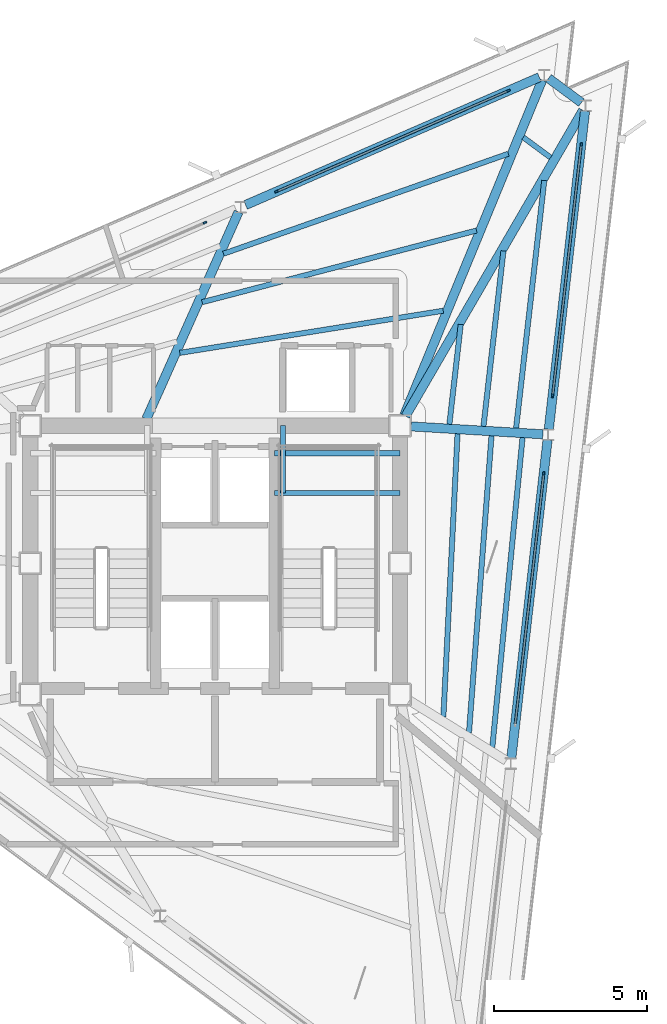
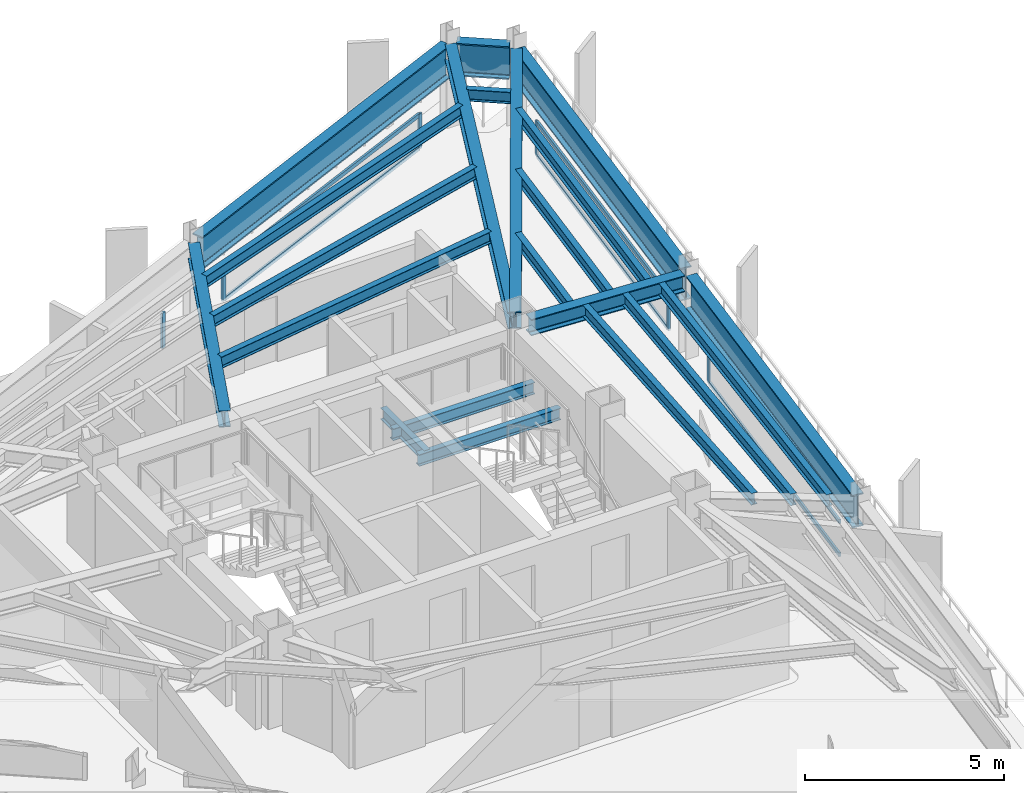
# One storey, part 4 of 9: 21 beams, 12 members, 4 elements without a shape of their own.
"""IFC4 building model written with IfcOpenShell, lengths in metres."""

from ifc_helpers import new_model, si_unit, direction, frame, origin, origin_2d, place, context, subcontext, project, spatial, rectangle, i_section, extrude, material, layer, layer_set, material_profile, profile_set, type_object, element, aggregate, save


model = new_model("IFC4")

# Units and contexts
model_context = context("Model", 3, precision=1e-05, world=origin(), true_north=direction((0.0, 1.0)))
body_context = subcontext(model_context, "Body", "Model", "MODEL_VIEW")
ifc_project = project(units=[si_unit("LENGTHUNIT", "METRE"), si_unit("AREAUNIT", "SQUARE_METRE"), si_unit("VOLUMEUNIT", "CUBIC_METRE"), si_unit("PLANEANGLEUNIT", "RADIAN"), si_unit("MASSUNIT", "GRAM", prefix="KILO")], contexts=[model_context])

# Site, building, storey
site_placement = place(None, origin())
site = spatial("IfcSite", under=ifc_project, at=site_placement, CompositionType="ELEMENT")
building_placement = place(site_placement, origin())
building = spatial("IfcBuilding", under=site, at=building_placement, Name="Rocaltana Carrier Exchange", CompositionType="ELEMENT")
storey_placement = place(building_placement, frame((0.0, 0.0, 236.159912109375)))
storey = spatial("IfcBuildingStorey", under=building, at=storey_placement, Name="L75", CompositionType="ELEMENT", Elevation=236.159912109375)

# Curtain wall, member
ifc_material_1 = material(Name="Aluminium 6063-T6", Category="aluminium")
ifc_layer = layer(ifc_material_1, 0.1201171875)
ifc_layer_set = layer_set([ifc_layer], Name="Aluminium 6063-T6")
curtain_wall_type = type_object("IfcCurtainWallType", Name="High-Altitude Thermal Curtain Wall CW-05", PredefinedType="NOTDEFINED", material=ifc_layer_set)
curtain_wall_1_placement = place(storey_placement, origin())
curtain_wall_1 = element("IfcCurtainWall", 1, at=curtain_wall_1_placement, inside=storey, type_object=curtain_wall_type, Name="L75 CW-05 Run CW-L75-F1S2", PredefinedType="NOTDEFINED")
ifc_material_2 = material(Name="Aluminium 6063-T6", Category="aluminium")
ifc_material_profile_1 = material_profile(ifc_material_2, rectangle(XDim=0.06005859375, YDim=0.1201171875, at=origin_2d()), Name="AL-60X120")
ifc_profile_set_1 = profile_set([ifc_material_profile_1], Name="Aluminium 6063-T6")
member_type_1 = type_object("IfcMemberType", Name="CW-05 Mullion AL-60X120", PredefinedType="MULLION", material=ifc_profile_set_1)
member_1_placement = place(storey_placement, frame((10.756591796875, 2.93798828125, 0.0), z_axis=(0.0, 0.0, 1.0), x_axis=(-0.993571216652, 0.113208822277, 0.0)))
member_1 = element("IfcMember", 2, at=member_1_placement, type_object=member_type_1, Name="CW-05 mullion 2", PredefinedType="MULLION", context=body_context, shape_type="SweptSolid", body=[
    extrude(rectangle(XDim=0.06005859375, YDim=0.1201171875, at=origin_2d()), origin(), (0.0, 0.0, 1.0), 1.078125),
])

# Curtain wall, members
curtain_wall_2_placement = place(storey_placement, origin())
curtain_wall_2 = element("IfcCurtainWall", 3, at=curtain_wall_2_placement, inside=storey, type_object=curtain_wall_type, Name="L75 CW-05 Run CW-L75-F1S3", PredefinedType="NOTDEFINED")
member_2_placement = place(storey_placement, frame((11.04638671875, 5.4814453125, 0.0), z_axis=(0.0, 0.0, 1.0), x_axis=(-0.993572566365, 0.113196975964, 0.0)))
member_2 = element("IfcMember", 4, at=member_2_placement, type_object=member_type_1, Name="CW-05 mullion 1", PredefinedType="MULLION", context=body_context, shape_type="SweptSolid", body=[
    extrude(rectangle(XDim=0.06005859375, YDim=0.1201171875, at=origin_2d()), origin(), (0.0, 0.0, 1.0), 1.078125),
])
member_3_placement = place(storey_placement, frame((11.98291015625, 13.70166015625, 0.0), z_axis=(0.0, 0.0, 1.0), x_axis=(-0.993572566365, 0.113196975964, 0.0)))
member_3 = element("IfcMember", 5, at=member_3_placement, type_object=member_type_1, Name="CW-05 mullion 2", PredefinedType="MULLION", context=body_context, shape_type="SweptSolid", body=[
    extrude(rectangle(XDim=0.06005859375, YDim=0.1201171875, at=origin_2d()), origin(), (0.0, 0.0, 1.0), 1.078125),
])

curtain_wall_3_placement = place(storey_placement, origin())
curtain_wall_3 = element("IfcCurtainWall", 6, at=curtain_wall_3_placement, inside=storey, type_object=curtain_wall_type, Name="L75 CW-05 Run CW-L75-F2S1", PredefinedType="NOTDEFINED")
member_4_placement = place(storey_placement, frame((9.599609375, 15.46533203125, 0.0), z_axis=(0.0, 0.0, 1.0), x_axis=(0.39875682637, -0.917056701313, 0.0)))
member_4 = element("IfcMember", 7, at=member_4_placement, type_object=member_type_1, Name="CW-05 mullion 1", PredefinedType="MULLION", context=body_context, shape_type="SweptSolid", body=[
    extrude(rectangle(XDim=0.06005859375, YDim=0.1201171875, at=origin_2d()), origin(), (0.0, 0.0, 1.0), 1.078125),
])
member_5_placement = place(storey_placement, frame((2.01220703125, 12.166259765625, 0.0), z_axis=(0.0, 0.0, 1.0), x_axis=(0.39875682637, -0.917056701313, 0.0)))
member_5 = element("IfcMember", 8, at=member_5_placement, type_object=member_type_1, Name="CW-05 mullion 2", PredefinedType="MULLION", context=body_context, shape_type="SweptSolid", body=[
    extrude(rectangle(XDim=0.06005859375, YDim=0.1201171875, at=origin_2d()), origin(), (0.0, 0.0, 1.0), 1.078125),
])

# Curtain wall, member
curtain_wall_4_placement = place(storey_placement, origin())
curtain_wall_4 = element("IfcCurtainWall", 9, at=curtain_wall_4_placement, inside=storey, type_object=curtain_wall_type, Name="L75 CW-05 Run CW-L75-F2S2", PredefinedType="NOTDEFINED")
member_6_placement = place(storey_placement, frame((-0.335205078125, 11.1455078125, 0.0), z_axis=(0.0, 0.0, 1.0), x_axis=(0.398752438254, -0.917058609352, 0.0)))
member_6 = element("IfcMember", 10, at=member_6_placement, type_object=member_type_1, Name="CW-05 mullion 1", PredefinedType="MULLION", context=body_context, shape_type="SweptSolid", body=[
    extrude(rectangle(XDim=0.06005859375, YDim=0.1201171875, at=origin_2d()), origin(), (0.0, 0.0, 1.0), 1.078125),
])
aggregate(curtain_wall_4, [member_6])

# Member
ifc_material_3 = material(Name="Aluminium 6063-T6", Category="aluminium")
ifc_material_profile_2 = material_profile(ifc_material_3, rectangle(XDim=0.06005859375, YDim=0.1201171875, at=origin_2d()), Name="AL-60X120")
ifc_profile_set_2 = profile_set([ifc_material_profile_2], Name="Aluminium 6063-T6")
member_type_2 = type_object("IfcMemberType", Name="CW-05 Transom AL-60X120", PredefinedType="USERDEFINED", material=ifc_profile_set_2)
member_7_placement = place(storey_placement, frame((9.8232421875, -5.25244140625, 0.030029296875), z_axis=(0.113220478228, 0.993569888488, 0.0), x_axis=(-0.993569888488, 0.113220478228, 0.0)))
member_7 = element("IfcMember", 11, at=member_7_placement, type_object=member_type_2, Name="CW-05 transom 1.1", ObjectType="TRANSOM", PredefinedType="USERDEFINED", context=body_context, shape_type="SweptSolid", body=[
    extrude(rectangle(XDim=0.06005859375, YDim=0.1201171875, at=origin_2d()), origin(), (0.0, 0.0, 1.0), 8.21337890625),
])

member_8_placement = place(storey_placement, frame((9.8232421875, -5.25244140625, 1.048095703125), z_axis=(0.113220478228, 0.993569888488, 0.0), x_axis=(-0.993569888488, 0.113220478228, 0.0)))
member_8 = element("IfcMember", 12, at=member_8_placement, type_object=member_type_2, Name="CW-05 transom 1.2", ObjectType="TRANSOM", PredefinedType="USERDEFINED", context=body_context, shape_type="SweptSolid", body=[
    extrude(rectangle(XDim=0.06005859375, YDim=0.1201171875, at=origin_2d()), origin(), (0.0, 0.0, 1.0), 8.21337890625),
])

aggregate(curtain_wall_1, [member_1, member_7, member_8])

member_9_placement = place(storey_placement, frame((11.0498046875, 5.51123046875, 0.030029296875), z_axis=(0.113191134651, 0.993573231844, 0.0), x_axis=(-0.993573231844, 0.113191134651, 0.0)))
member_9 = element("IfcMember", 13, at=member_9_placement, type_object=member_type_2, Name="CW-05 transom 1.1", ObjectType="TRANSOM", PredefinedType="USERDEFINED", context=body_context, shape_type="SweptSolid", body=[
    extrude(rectangle(XDim=0.06005859375, YDim=0.1201171875, at=origin_2d()), origin(), (0.0, 0.0, 1.0), 8.21337890625),
])

member_10_placement = place(storey_placement, frame((11.0498046875, 5.51123046875, 1.048095703125), z_axis=(0.113191134651, 0.993573231844, 0.0), x_axis=(-0.993573231844, 0.113191134651, 0.0)))
member_10 = element("IfcMember", 14, at=member_10_placement, type_object=member_type_2, Name="CW-05 transom 1.2", ObjectType="TRANSOM", PredefinedType="USERDEFINED", context=body_context, shape_type="SweptSolid", body=[
    extrude(rectangle(XDim=0.06005859375, YDim=0.1201171875, at=origin_2d()), origin(), (0.0, 0.0, 1.0), 8.21337890625),
])

aggregate(curtain_wall_2, [member_2, member_3, member_9, member_10])

member_11_placement = place(storey_placement, frame((9.572021484375, 15.453369140625, 0.030029296875), z_axis=(-0.917058241688, -0.398753283814, 0.0), x_axis=(0.398753283814, -0.917058241688, 0.0)))
member_11 = element("IfcMember", 15, at=member_11_placement, type_object=member_type_2, Name="CW-05 transom 1.1", ObjectType="TRANSOM", PredefinedType="USERDEFINED", context=body_context, shape_type="SweptSolid", body=[
    extrude(rectangle(XDim=0.06005859375, YDim=0.1201171875, at=origin_2d()), origin(), (0.0, 0.0, 1.0), 8.21337890625),
])

member_12_placement = place(storey_placement, frame((9.572021484375, 15.453369140625, 1.048095703125), z_axis=(-0.917058241688, -0.398753283814, 0.0), x_axis=(0.398753283814, -0.917058241688, 0.0)))
member_12 = element("IfcMember", 16, at=member_12_placement, type_object=member_type_2, Name="CW-05 transom 1.2", ObjectType="TRANSOM", PredefinedType="USERDEFINED", context=body_context, shape_type="SweptSolid", body=[
    extrude(rectangle(XDim=0.06005859375, YDim=0.1201171875, at=origin_2d()), origin(), (0.0, 0.0, 1.0), 8.21337890625),
])

aggregate(curtain_wall_3, [member_4, member_5, member_11, member_12])

# Beams
ifc_material_4 = material(Name="Steel S355", Category="steel")
ifc_material_profile_3 = material_profile(ifc_material_4, i_section(OverallWidth=0.172119140625, OverallDepth=0.35791015625, WebThickness=0.0078125, FlangeThickness=0.01318359375, FilletRadius=0.011962890625, at=origin_2d()), Name="W14X38")
ifc_profile_set_3 = profile_set([ifc_material_profile_3], Name="Steel S355")
beam_type_1 = type_object("IfcBeamType", Name="Floor Joist W14X38", PredefinedType="JOIST", material=ifc_profile_set_3)
for number, where, z_axis, x_axis, name in (
    (17, (1.93994140625, 2.300048828125, 1.14111328125), (1.0, 0.0, 0.0), (0.0, 1.0, 0.0), "L75 ST-2 Landing Carrier 1"),
    (18, (1.93994140625, 3.60009765625, 1.14111328125), (1.0, 0.0, 0.0), (0.0, 1.0, 0.0), "L75 ST-2 Landing Carrier 2"),
):
    element("IfcBeam", number, at=place(storey_placement, frame(where, z_axis=z_axis, x_axis=x_axis)), inside=storey, type_object=beam_type_1, Name=name, PredefinedType="JOIST", context=body_context, shape_type="SweptSolid", body=[
        extrude(i_section(OverallWidth=0.172119140625, OverallDepth=0.35791015625, WebThickness=0.0078125, FlangeThickness=0.01318359375, FilletRadius=0.011962890625, at=origin_2d()), origin(), (0.0, 0.0, 1.0), 4.110107421875),
    ])
beam_1_placement = place(storey_placement, frame((2.219970703125, 2.300048828125, 1.14111328125), z_axis=(0.0, 1.0, 0.0), x_axis=(-1.0, 0.0, 0.0)))
element("IfcBeam", 19, at=beam_1_placement, inside=storey, type_object=beam_type_1, Name="L75 ST-2 Landing Cross Trimmer", PredefinedType="JOIST", context=body_context, shape_type="SweptSolid", body=[
    extrude(i_section(OverallWidth=0.172119140625, OverallDepth=0.35791015625, WebThickness=0.0078125, FlangeThickness=0.01318359375, FilletRadius=0.011962890625, at=origin_2d()), origin(), (0.0, 0.0, 1.0), 2.199951171875),
])
beam_2_placement = place(storey_placement, frame((7.470947265625, -5.03515625, 2.439208984375), z_axis=(0.049933684641, 0.998752535485, 0.0), x_axis=(-0.998752535485, 0.049933684641, 0.0)))
element("IfcBeam", 20, at=beam_2_placement, inside=storey, type_object=beam_type_1, Name="FJ-L75-02-1", PredefinedType="JOIST", context=body_context, shape_type="SweptSolid", body=[
    extrude(i_section(OverallWidth=0.172119140625, OverallDepth=0.35791015625, WebThickness=0.0078125, FlangeThickness=0.01318359375, FilletRadius=0.011962890625, at=origin_2d()), origin(), (0.0, 0.0, 1.0), 9.28955078125),
])
beam_3_placement = place(storey_placement, frame((8.308349609375, -5.553955078125, 2.439208984375), z_axis=(0.075705441131, 0.997130225288, 0.0), x_axis=(-0.997130225288, 0.075705441131, 0.0)))
element("IfcBeam", 21, at=beam_3_placement, inside=storey, type_object=beam_type_1, Name="FJ-L75-02-2", PredefinedType="JOIST", context=body_context, shape_type="SweptSolid", body=[
    extrude(i_section(OverallWidth=0.172119140625, OverallDepth=0.35791015625, WebThickness=0.0078125, FlangeThickness=0.01318359375, FilletRadius=0.011962890625, at=origin_2d()), origin(), (0.0, 0.0, 1.0), 9.758544921875),
])
beam_4_placement = place(storey_placement, frame((9.07275390625, -6.027587890625, 2.439208984375), z_axis=(0.097138741589, 0.995270850011, 0.0), x_axis=(-0.995270850011, 0.097138741589, 0.0)))
element("IfcBeam", 22, at=beam_4_placement, inside=storey, type_object=beam_type_1, Name="FJ-L75-02-3", PredefinedType="JOIST", context=body_context, shape_type="SweptSolid", body=[
    extrude(i_section(OverallWidth=0.172119140625, OverallDepth=0.35791015625, WebThickness=0.0078125, FlangeThickness=0.01318359375, FilletRadius=0.011962890625, at=origin_2d()), origin(), (0.0, 0.0, 1.0), 10.19140625),
])
beam_5_placement = place(storey_placement, frame((7.667236328125, 4.54736328125, 2.439208984375), z_axis=(0.113203016028, 0.993571878206, 0.0), x_axis=(-0.993571878206, 0.113203016028, 0.0)))
element("IfcBeam", 23, at=beam_5_placement, inside=storey, type_object=beam_type_1, Name="FJ-L75-03-1", PredefinedType="JOIST", context=body_context, shape_type="SweptSolid", body=[
    extrude(i_section(OverallWidth=0.172119140625, OverallDepth=0.35791015625, WebThickness=0.0078125, FlangeThickness=0.01318359375, FilletRadius=0.011962890625, at=origin_2d()), origin(), (0.0, 0.0, 1.0), 3.286865234375),
])
beam_6_placement = place(storey_placement, frame((8.783203125, 4.48046875, 2.439208984375), z_axis=(0.113185542157, 0.993573868943, 0.0), x_axis=(-0.993573868943, 0.113185542157, 0.0)))
element("IfcBeam", 24, at=beam_6_placement, inside=storey, type_object=beam_type_1, Name="FJ-L75-03-2", PredefinedType="JOIST", context=body_context, shape_type="SweptSolid", body=[
    extrude(i_section(OverallWidth=0.172119140625, OverallDepth=0.35791015625, WebThickness=0.0078125, FlangeThickness=0.01318359375, FilletRadius=0.011962890625, at=origin_2d()), origin(), (0.0, 0.0, 1.0), 5.778564453125),
])
beam_7_placement = place(storey_placement, frame((9.850341796875, 4.41650390625, 2.439208984375), z_axis=(0.113215051584, 0.993570506856, 0.0), x_axis=(-0.993570506856, 0.113215051584, 0.0)))
element("IfcBeam", 25, at=beam_7_placement, inside=storey, type_object=beam_type_1, Name="FJ-L75-03-3", PredefinedType="JOIST", context=body_context, shape_type="SweptSolid", body=[
    extrude(i_section(OverallWidth=0.172119140625, OverallDepth=0.35791015625, WebThickness=0.0078125, FlangeThickness=0.01318359375, FilletRadius=0.011962890625, at=origin_2d()), origin(), (0.0, 0.0, 1.0), 8.162109375),
])
beam_8_placement = place(storey_placement, frame((10.978759765625, 13.278564453125, 2.439208984375), z_axis=(-0.803783025316, 0.594922556484, 0.0), x_axis=(-0.594922556484, -0.803783025316, 0.0)))
element("IfcBeam", 26, at=beam_8_placement, inside=storey, type_object=beam_type_1, Name="FJ-L75-04-3", PredefinedType="JOIST", context=body_context, shape_type="SweptSolid", body=[
    extrude(i_section(OverallWidth=0.172119140625, OverallDepth=0.35791015625, WebThickness=0.0078125, FlangeThickness=0.01318359375, FilletRadius=0.011962890625, at=origin_2d()), origin(), (0.0, 0.0, 1.0), 1.1103515625),
])
beam_9_placement = place(storey_placement, frame((7.466552734375, 8.26416015625, 2.439208984375), z_axis=(-0.987434349957, -0.158029758352, 0.0), x_axis=(0.158029758352, -0.987434349957, 0.0)))
element("IfcBeam", 27, at=beam_9_placement, inside=storey, type_object=beam_type_1, Name="FJ-L75-05-1", PredefinedType="JOIST", context=body_context, shape_type="SweptSolid", body=[
    extrude(i_section(OverallWidth=0.172119140625, OverallDepth=0.35791015625, WebThickness=0.0078125, FlangeThickness=0.01318359375, FilletRadius=0.011962890625, at=origin_2d()), origin(), (0.0, 0.0, 1.0), 8.731689453125),
])
beam_10_placement = place(storey_placement, frame((8.5556640625, 10.889892578125, 2.439208984375), z_axis=(-0.967527830679, -0.252764508708, 0.0), x_axis=(0.252764508708, -0.967527830679, 0.0)))
element("IfcBeam", 28, at=beam_10_placement, inside=storey, type_object=beam_type_1, Name="FJ-L75-05-2", PredefinedType="JOIST", context=body_context, shape_type="SweptSolid", body=[
    extrude(i_section(OverallWidth=0.172119140625, OverallDepth=0.35791015625, WebThickness=0.0078125, FlangeThickness=0.01318359375, FilletRadius=0.011962890625, at=origin_2d()), origin(), (0.0, 0.0, 1.0), 9.2822265625),
])
beam_11_placement = place(storey_placement, frame((9.598388671875, 13.4033203125, 2.439208984375), z_axis=(-0.943534028817, -0.331275620087, 0.0), x_axis=(0.331275620087, -0.943534028817, 0.0)))
element("IfcBeam", 29, at=beam_11_placement, inside=storey, type_object=beam_type_1, Name="FJ-L75-05-3", PredefinedType="JOIST", context=body_context, shape_type="SweptSolid", body=[
    extrude(i_section(OverallWidth=0.172119140625, OverallDepth=0.35791015625, WebThickness=0.0078125, FlangeThickness=0.01318359375, FilletRadius=0.011962890625, at=origin_2d()), origin(), (0.0, 0.0, 1.0), 9.883544921875),
])
ifc_material_5 = material(Name="Steel S460", Category="steel")
ifc_material_profile_4 = material_profile(ifc_material_5, i_section(OverallWidth=0.302001953125, OverallDepth=1.008056640625, WebThickness=0.02099609375, FlangeThickness=0.0400390625, FilletRadius=0.030029296875, at=origin_2d()), Name="HEM1000")
ifc_profile_set_4 = profile_set([ifc_material_profile_4], Name="Steel S460")
beam_type_2 = type_object("IfcBeamType", Name="Transfer Ring Girder HEM1000", PredefinedType="USERDEFINED", material=ifc_profile_set_4)
for number, where, z_axis, x_axis, name in (
    (30, (9.694580078125, -6.381103515625, 2.114013671875), (0.113206425365, 0.993571489756, 0.0), (-0.993571489756, 0.113206425365, 0.0), "SP-L75-02"),
    (31, (10.921142578125, 4.382568359375, 2.114013671875), (0.113183439753, 0.993574108442, 0.0), (-0.993574108442, 0.113183439753, 0.0), "SP-L75-03"),
):
    element("IfcBeam", number, at=place(storey_placement, frame(where, z_axis=z_axis, x_axis=x_axis)), inside=storey, type_object=beam_type_2, Name=name, ObjectType="TRANSFER GIRDER", PredefinedType="USERDEFINED", context=body_context, shape_type="SweptSolid", body=[
        extrude(i_section(OverallWidth=0.302001953125, OverallDepth=1.008056640625, WebThickness=0.02099609375, FlangeThickness=0.0400390625, FilletRadius=0.030029296875, at=origin_2d()), origin(), (0.0, 0.0, 1.0), 10.4853515625),
    ])
beam_12_placement = place(storey_placement, frame((11.98779296875, 15.076904296875, 2.114013671875), z_axis=(-0.80388381105, 0.594786363605, 0.0), x_axis=(-0.594786363605, -0.80388381105, 0.0)))
element("IfcBeam", 32, at=beam_12_placement, inside=storey, type_object=beam_type_2, Name="SP-L75-04", ObjectType="TRANSFER GIRDER", PredefinedType="USERDEFINED", context=body_context, shape_type="SweptSolid", body=[
    extrude(i_section(OverallWidth=0.302001953125, OverallDepth=1.008056640625, WebThickness=0.02099609375, FlangeThickness=0.0400390625, FilletRadius=0.030029296875, at=origin_2d()), origin(), (0.0, 0.0, 1.0), 1.3369140625),
])
beam_13_placement = place(storey_placement, frame((10.61376953125, 15.90625, 2.114013671875), z_axis=(-0.917055989154, -0.398758464182, 0.0), x_axis=(0.398758464182, -0.917055989154, 0.0)))
element("IfcBeam", 33, at=beam_13_placement, inside=storey, type_object=beam_type_2, Name="SP-L75-05", ObjectType="TRANSFER GIRDER", PredefinedType="USERDEFINED", context=body_context, shape_type="SweptSolid", body=[
    extrude(i_section(OverallWidth=0.302001953125, OverallDepth=1.008056640625, WebThickness=0.02099609375, FlangeThickness=0.0400390625, FilletRadius=0.030029296875, at=origin_2d()), origin(), (0.0, 0.0, 1.0), 10.4853515625),
])
ifc_material_6 = material(Name="Steel S355", Category="steel")
ifc_material_profile_5 = material_profile(ifc_material_6, i_section(OverallWidth=0.300048828125, OverallDepth=0.5, WebThickness=0.014404296875, FlangeThickness=0.028076171875, FilletRadius=0.027099609375, at=origin_2d()), Name="HEB500")
ifc_profile_set_5 = profile_set([ifc_material_profile_5], Name="Steel S355")
beam_type_3 = type_object("IfcBeamType", Name="Upper Radial Girder HEB500", PredefinedType="BEAM", material=ifc_profile_set_5)
beam_14_placement = place(storey_placement, frame((6.416259765625, 4.47802734375, 2.3681640625), z_axis=(0.998216990301, -0.059689532376, 0.0), x_axis=(0.059689532376, 0.998216990301, 0.0)))
element("IfcBeam", 34, at=beam_14_placement, inside=storey, type_object=beam_type_3, Name="RG-L75-03", PredefinedType="BEAM", context=body_context, shape_type="SweptSolid", body=[
    extrude(i_section(OverallWidth=0.300048828125, OverallDepth=0.5, WebThickness=0.014404296875, FlangeThickness=0.028076171875, FilletRadius=0.027099609375, at=origin_2d()), origin(), (0.0, 0.0, 1.0), 4.3193359375),
])
beam_15_placement = place(storey_placement, frame((6.234130859375, 4.8173828125, 2.3681640625), z_axis=(0.501905371074, 0.86492253901, 0.0), x_axis=(-0.86492253901, 0.501905371074, 0.0)))
element("IfcBeam", 35, at=beam_15_placement, inside=storey, type_object=beam_type_3, Name="RG-L75-04", PredefinedType="BEAM", context=body_context, shape_type="SweptSolid", body=[
    extrude(i_section(OverallWidth=0.300048828125, OverallDepth=0.5, WebThickness=0.014404296875, FlangeThickness=0.028076171875, FilletRadius=0.027099609375, at=origin_2d()), origin(), (0.0, 0.0, 1.0), 11.568115234375),
])
beam_16_placement = place(storey_placement, frame((6.189697265625, 4.83935546875, 2.3681640625), z_axis=(0.380611164855, 0.924735173543, 0.0), x_axis=(-0.924735173543, 0.380611164855, 0.0)))
element("IfcBeam", 36, at=beam_16_placement, inside=storey, type_object=beam_type_3, Name="RG-L75-05", PredefinedType="BEAM", context=body_context, shape_type="SweptSolid", body=[
    extrude(i_section(OverallWidth=0.300048828125, OverallDepth=0.5, WebThickness=0.014404296875, FlangeThickness=0.028076171875, FilletRadius=0.027099609375, at=origin_2d()), origin(), (0.0, 0.0, 1.0), 11.86865234375),
])
beam_17_placement = place(storey_placement, frame((-2.25146484375, 4.720947265625, 2.3681640625), z_axis=(0.406987211438, 0.91343385624, 0.0), x_axis=(-0.91343385624, 0.406987211438, 0.0)))
element("IfcBeam", 37, at=beam_17_placement, inside=storey, type_object=beam_type_3, Name="RG-L75-06", PredefinedType="BEAM", context=body_context, shape_type="SweptSolid", body=[
    extrude(i_section(OverallWidth=0.300048828125, OverallDepth=0.5, WebThickness=0.014404296875, FlangeThickness=0.028076171875, FilletRadius=0.027099609375, at=origin_2d()), origin(), (0.0, 0.0, 1.0), 7.41796875),
])

save(model, "model.ifc")
